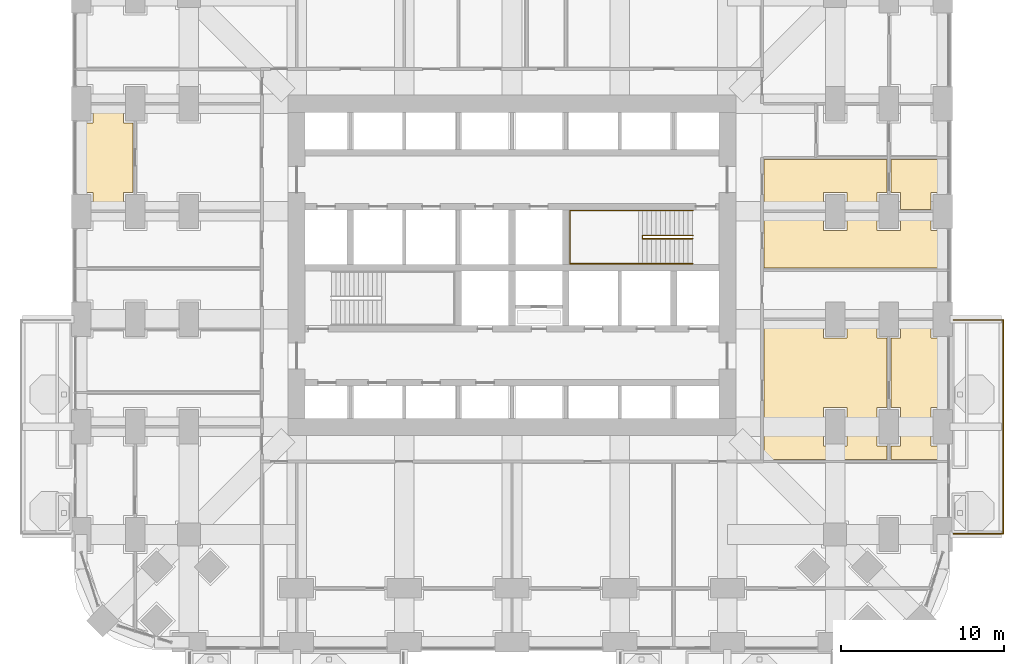
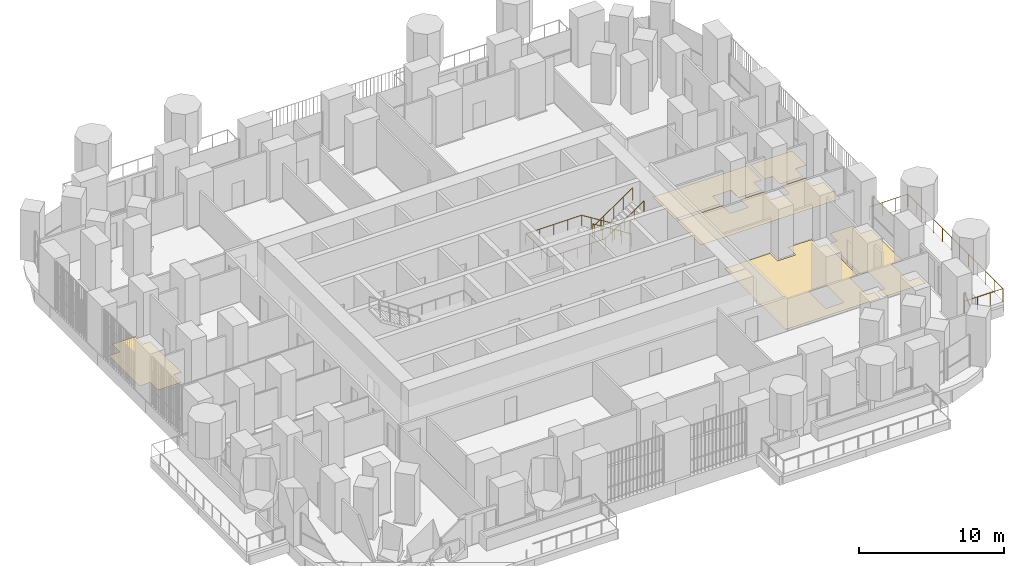
# One storey, part 25 of 27: 6 coverings, 3 railings.
"""IFC4 building model written with IfcOpenShell, lengths in metres."""

from ifc_helpers import new_model, si_unit, direction, frame, origin, place, context, subcontext, project, spatial, polyline, outline, extrude, material, layer, layer_set, type_object, element, save


model = new_model("IFC4")

# Units and contexts
model_context = context("Model", 3, precision=1e-05, world=origin(), true_north=direction((0.0, 1.0)))
body_context = subcontext(model_context, "Body", "Model", "MODEL_VIEW")
ifc_project = project(units=[si_unit("LENGTHUNIT", "METRE"), si_unit("AREAUNIT", "SQUARE_METRE"), si_unit("VOLUMEUNIT", "CUBIC_METRE"), si_unit("PLANEANGLEUNIT", "RADIAN"), si_unit("MASSUNIT", "GRAM", prefix="KILO")], contexts=[model_context])

# Site, building, storey
site_placement = place(None, origin())
site = spatial("IfcSite", under=ifc_project, at=site_placement, CompositionType="ELEMENT")
building_placement = place(site_placement, origin())
building = spatial("IfcBuilding", under=site, at=building_placement, Name="Cobogo Forest Laboratory Tower", CompositionType="ELEMENT")
storey_placement = place(building_placement, frame((0.0, 0.0, 29.699951171875)))
storey = spatial("IfcBuildingStorey", under=building, at=storey_placement, Name="L06", CompositionType="ELEMENT", Elevation=29.699951171875)

# Railing
ifc_material_1 = material(Name="Laminated glass balustrade", Category="glass")
railing_type_1 = type_object("IfcRailingType", Name="BG1 glass balustrade 1100", PredefinedType="GUARDRAIL", material=ifc_material_1)
railing_1_placement = place(storey_placement, frame((53.449951171875, 6.64990234375, 0.0)))
element("IfcRailing", 1, at=railing_1_placement, inside=storey, type_object=railing_type_1, Name="Balcony balustrade BAL-E1 L06", PredefinedType="GUARDRAIL", context=body_context, shape_type="SweptSolid", body=[
    extrude(outline(polyline([(0.022216796875, 0.00927734375), (0.00927734375, 0.022216796875), (-0.00927734375, 0.022216796875), (-0.022216796875, 0.00927734375), (-0.022216796875, -0.00927734375), (-0.00927734375, -0.022216796875), (0.00927734375, -0.022216796875), (0.022216796875, -0.00927734375), (0.022216796875, 0.00927734375)])), frame((0.0, 0.0, 1.077880859375), z_axis=(1.0, 0.0, 0.0), x_axis=(0.0, 1.0, 0.0)), (0.0, 0.0, 1.0), 3.050048828125),
    extrude(outline(polyline([(0.022216796875, 0.00927734375), (0.00927734375, 0.022216796875), (-0.00927734375, 0.022216796875), (-0.022216796875, 0.00927734375), (-0.022216796875, -0.00927734375), (-0.00927734375, -0.022216796875), (0.00927734375, -0.022216796875), (0.022216796875, -0.00927734375), (0.022216796875, 0.00927734375)])), frame((3.050048828125, 0.0, 1.077880859375), z_axis=(0.0, 1.0, 0.0), x_axis=(-1.0, 0.0, 0.0)), (0.0, 0.0, 1.0), 13.10009765625),
    extrude(outline(polyline([(0.022216796875, 0.00927734375), (0.00927734375, 0.022216796875), (-0.00927734375, 0.022216796875), (-0.022216796875, 0.00927734375), (-0.022216796875, -0.00927734375), (-0.00927734375, -0.022216796875), (0.00927734375, -0.022216796875), (0.022216796875, -0.00927734375), (0.022216796875, 0.00927734375)])), frame((3.050048828125, 13.10009765625, 1.077880859375), z_axis=(-1.0, 0.0, 0.0), x_axis=(0.0, -1.0, 0.0)), (0.0, 0.0, 1.0), 3.050048828125),
    extrude(outline(polyline([(0.019287109375, 0.008056640625), (0.008056640625, 0.019287109375), (-0.008056640625, 0.019287109375), (-0.019287109375, 0.008056640625), (-0.019287109375, -0.008056640625), (-0.008056640625, -0.019287109375), (0.008056640625, -0.019287109375), (0.019287109375, -0.008056640625), (0.019287109375, 0.008056640625)])), origin(), (0.0, 0.0, 1.0), 1.077880859375),
    extrude(outline(polyline([(0.019287109375, 0.008056640625), (0.008056640625, 0.019287109375), (-0.008056640625, 0.019287109375), (-0.019287109375, 0.008056640625), (-0.019287109375, -0.008056640625), (-0.008056640625, -0.019287109375), (0.008056640625, -0.019287109375), (0.019287109375, -0.008056640625), (0.019287109375, 0.008056640625)])), frame((1.0166015625, 0.0, 0.0)), (0.0, 0.0, 1.0), 1.077880859375),
    extrude(outline(polyline([(0.019287109375, 0.008056640625), (0.008056640625, 0.019287109375), (-0.008056640625, 0.019287109375), (-0.019287109375, 0.008056640625), (-0.019287109375, -0.008056640625), (-0.008056640625, -0.019287109375), (0.008056640625, -0.019287109375), (0.019287109375, -0.008056640625), (0.019287109375, 0.008056640625)])), frame((2.033447265625, 0.0, 0.0)), (0.0, 0.0, 1.0), 1.077880859375),
    extrude(outline(polyline([(0.019287109375, 0.008056640625), (0.008056640625, 0.019287109375), (-0.008056640625, 0.019287109375), (-0.019287109375, 0.008056640625), (-0.019287109375, -0.008056640625), (-0.008056640625, -0.019287109375), (0.008056640625, -0.019287109375), (0.019287109375, -0.008056640625), (0.019287109375, 0.008056640625)])), frame((3.050048828125, 0.0, 0.0)), (0.0, 0.0, 1.0), 1.077880859375),
    extrude(outline(polyline([(0.019287109375, 0.008056640625), (0.008056640625, 0.019287109375), (-0.008056640625, 0.019287109375), (-0.019287109375, 0.008056640625), (-0.019287109375, -0.008056640625), (-0.008056640625, -0.019287109375), (0.008056640625, -0.019287109375), (0.019287109375, -0.008056640625), (0.019287109375, 0.008056640625)])), frame((3.050048828125, 1.19091796875, 0.0)), (0.0, 0.0, 1.0), 1.077880859375),
    extrude(outline(polyline([(0.019287109375, 0.008056640625), (0.008056640625, 0.019287109375), (-0.008056640625, 0.019287109375), (-0.019287109375, 0.008056640625), (-0.019287109375, -0.008056640625), (-0.008056640625, -0.019287109375), (0.008056640625, -0.019287109375), (0.019287109375, -0.008056640625), (0.019287109375, 0.008056640625)])), frame((3.050048828125, 2.3818359375, 0.0)), (0.0, 0.0, 1.0), 1.077880859375),
    extrude(outline(polyline([(0.019287109375, 0.008056640625), (0.008056640625, 0.019287109375), (-0.008056640625, 0.019287109375), (-0.019287109375, 0.008056640625), (-0.019287109375, -0.008056640625), (-0.008056640625, -0.019287109375), (0.008056640625, -0.019287109375), (0.019287109375, -0.008056640625), (0.019287109375, 0.008056640625)])), frame((3.050048828125, 3.57275390625, 0.0)), (0.0, 0.0, 1.0), 1.077880859375),
    extrude(outline(polyline([(0.019287109375, 0.008056640625), (0.008056640625, 0.019287109375), (-0.008056640625, 0.019287109375), (-0.019287109375, 0.008056640625), (-0.019287109375, -0.008056640625), (-0.008056640625, -0.019287109375), (0.008056640625, -0.019287109375), (0.019287109375, -0.008056640625), (0.019287109375, 0.008056640625)])), frame((3.050048828125, 4.763671875, 0.0)), (0.0, 0.0, 1.0), 1.077880859375),
    extrude(outline(polyline([(0.019287109375, 0.008056640625), (0.008056640625, 0.019287109375), (-0.008056640625, 0.019287109375), (-0.019287109375, 0.008056640625), (-0.019287109375, -0.008056640625), (-0.008056640625, -0.019287109375), (0.008056640625, -0.019287109375), (0.019287109375, -0.008056640625), (0.019287109375, 0.008056640625)])), frame((3.050048828125, 5.95458984375, 0.0)), (0.0, 0.0, 1.0), 1.077880859375),
    extrude(outline(polyline([(0.019287109375, 0.008056640625), (0.008056640625, 0.019287109375), (-0.008056640625, 0.019287109375), (-0.019287109375, 0.008056640625), (-0.019287109375, -0.008056640625), (-0.008056640625, -0.019287109375), (0.008056640625, -0.019287109375), (0.019287109375, -0.008056640625), (0.019287109375, 0.008056640625)])), frame((3.050048828125, 7.1455078125, 0.0)), (0.0, 0.0, 1.0), 1.077880859375),
    extrude(outline(polyline([(0.019287109375, 0.008056640625), (0.008056640625, 0.019287109375), (-0.008056640625, 0.019287109375), (-0.019287109375, 0.008056640625), (-0.019287109375, -0.008056640625), (-0.008056640625, -0.019287109375), (0.008056640625, -0.019287109375), (0.019287109375, -0.008056640625), (0.019287109375, 0.008056640625)])), frame((3.050048828125, 8.33642578125, 0.0)), (0.0, 0.0, 1.0), 1.077880859375),
    extrude(outline(polyline([(0.019287109375, 0.008056640625), (0.008056640625, 0.019287109375), (-0.008056640625, 0.019287109375), (-0.019287109375, 0.008056640625), (-0.019287109375, -0.008056640625), (-0.008056640625, -0.019287109375), (0.008056640625, -0.019287109375), (0.019287109375, -0.008056640625), (0.019287109375, 0.008056640625)])), frame((3.050048828125, 9.52734375, 0.0)), (0.0, 0.0, 1.0), 1.077880859375),
    extrude(outline(polyline([(0.019287109375, 0.008056640625), (0.008056640625, 0.019287109375), (-0.008056640625, 0.019287109375), (-0.019287109375, 0.008056640625), (-0.019287109375, -0.008056640625), (-0.008056640625, -0.019287109375), (0.008056640625, -0.019287109375), (0.019287109375, -0.008056640625), (0.019287109375, 0.008056640625)])), frame((3.050048828125, 10.71826171875, 0.0)), (0.0, 0.0, 1.0), 1.077880859375),
    extrude(outline(polyline([(0.019287109375, 0.008056640625), (0.008056640625, 0.019287109375), (-0.008056640625, 0.019287109375), (-0.019287109375, 0.008056640625), (-0.019287109375, -0.008056640625), (-0.008056640625, -0.019287109375), (0.008056640625, -0.019287109375), (0.019287109375, -0.008056640625), (0.019287109375, 0.008056640625)])), frame((3.050048828125, 11.9091796875, 0.0)), (0.0, 0.0, 1.0), 1.077880859375),
    extrude(outline(polyline([(0.019287109375, 0.008056640625), (0.008056640625, 0.019287109375), (-0.008056640625, 0.019287109375), (-0.019287109375, 0.008056640625), (-0.019287109375, -0.008056640625), (-0.008056640625, -0.019287109375), (0.008056640625, -0.019287109375), (0.019287109375, -0.008056640625), (0.019287109375, 0.008056640625)])), frame((3.050048828125, 13.10009765625, 0.0)), (0.0, 0.0, 1.0), 1.077880859375),
    extrude(outline(polyline([(0.019287109375, 0.008056640625), (0.008056640625, 0.019287109375), (-0.008056640625, 0.019287109375), (-0.019287109375, 0.008056640625), (-0.019287109375, -0.008056640625), (-0.008056640625, -0.019287109375), (0.008056640625, -0.019287109375), (0.019287109375, -0.008056640625), (0.019287109375, 0.008056640625)])), frame((2.033447265625, 13.10009765625, 0.0)), (0.0, 0.0, 1.0), 1.077880859375),
    extrude(outline(polyline([(0.019287109375, 0.008056640625), (0.008056640625, 0.019287109375), (-0.008056640625, 0.019287109375), (-0.019287109375, 0.008056640625), (-0.019287109375, -0.008056640625), (-0.008056640625, -0.019287109375), (0.008056640625, -0.019287109375), (0.019287109375, -0.008056640625), (0.019287109375, 0.008056640625)])), frame((1.0166015625, 13.10009765625, 0.0)), (0.0, 0.0, 1.0), 1.077880859375),
    extrude(outline(polyline([(0.019287109375, 0.008056640625), (0.008056640625, 0.019287109375), (-0.008056640625, 0.019287109375), (-0.019287109375, 0.008056640625), (-0.019287109375, -0.008056640625), (-0.008056640625, -0.019287109375), (0.008056640625, -0.019287109375), (0.019287109375, -0.008056640625), (0.019287109375, 0.008056640625)])), frame((0.0, 13.10009765625, 0.0)), (0.0, 0.0, 1.0), 1.077880859375),
])

# Coverings
ifc_material_2 = material(Name="Carpet tile on raised access floor", Category="flooring")
ifc_layer_1 = layer(ifc_material_2, 0.008056640625)
ifc_layer_set_1 = layer_set([ifc_layer_1], Name="CT1 carpet tile floor 8")
covering_type_1 = type_object("IfcCoveringType", Name="CT1 carpet tile floor 8", PredefinedType="FLOORING", material=ifc_layer_set_1)
covering_1_placement = place(storey_placement, origin())
element("IfcCovering", 2, at=covering_1_placement, inside=storey, type_object=covering_type_1, Name="Carpet floor L06-09", PredefinedType="FLOORING", context=body_context, shape_type="SweptSolid", body=[
    extrude(outline(polyline([(49.6201171875, 12.030029296875), (50.219970703125, 12.030029296875), (50.219970703125, 14.3701171875), (49.6201171875, 14.3701171875), (49.6201171875, 18.6298828125), (50.219970703125, 18.6298828125), (50.219970703125, 19.679931640625), (52.080078125, 19.679931640625), (52.080078125, 18.6298828125), (52.949951171875, 18.6298828125), (52.949951171875, 14.3701171875), (52.080078125, 14.3701171875), (52.080078125, 12.030029296875), (52.949951171875, 12.030029296875), (52.949951171875, 11.195068359375), (49.6201171875, 11.195068359375), (49.6201171875, 12.030029296875)])), origin(), (0.0, 0.0, 1.0), 0.008056640625),
])
covering_2_placement = place(storey_placement, origin())
element("IfcCovering", 3, at=covering_2_placement, inside=storey, type_object=covering_type_1, Name="Carpet floor L06-13", PredefinedType="FLOORING", context=body_context, shape_type="SweptSolid", body=[
    extrude(outline(polyline([(49.6201171875, 29.580078125), (52.949951171875, 29.580078125), (52.949951171875, 27.570068359375), (52.080078125, 27.570068359375), (52.080078125, 26.52001953125), (50.219970703125, 26.52001953125), (50.219970703125, 27.570068359375), (49.6201171875, 27.570068359375), (49.6201171875, 29.580078125)])), origin(), (0.0, 0.0, 1.0), 0.008056640625),
])
covering_3_placement = place(storey_placement, origin())
element("IfcCovering", 4, at=covering_3_placement, inside=storey, type_object=covering_type_1, Name="Carpet floor L06-35", PredefinedType="FLOORING", context=body_context, shape_type="SweptSolid", body=[
    extrude(outline(polyline([(3.179931640625, 27.570068359375), (2.580078125, 27.570068359375), (2.580078125, 26.52001953125), (0.719970703125, 26.52001953125), (0.719970703125, 27.570068359375), (-0.14990234375, 27.570068359375), (-0.14990234375, 31.830078125), (0.719970703125, 31.830078125), (0.719970703125, 32.8798828125), (2.580078125, 32.8798828125), (2.580078125, 31.830078125), (3.179931640625, 31.830078125), (3.179931640625, 27.570068359375)])), origin(), (0.0, 0.0, 1.0), 0.008056640625),
])

# Railings
ifc_material_3 = material(Name="Steel balustrade", Category="steel")
railing_type_2 = type_object("IfcRailingType", Name="GR stair guard 1100", PredefinedType="GUARDRAIL", material=ifc_material_3)
railing_2_placement = place(storey_placement, frame((37.47509765625, 24.929931640625, 0.175048828125)))
element("IfcRailing", 5, at=railing_2_placement, inside=storey, type_object=railing_type_2, Name="Stair guard ST2 L06", PredefinedType="GUARDRAIL", context=body_context, shape_type="SweptSolid", body=[
    extrude(outline(polyline([(0.022216796875, 0.00927734375), (0.00927734375, 0.022216796875), (-0.00927734375, 0.022216796875), (-0.022216796875, 0.00927734375), (-0.022216796875, -0.00927734375), (-0.00927734375, -0.022216796875), (0.00927734375, -0.022216796875), (0.022216796875, -0.00927734375), (0.022216796875, 0.00927734375)])), frame((0.0, 0.0, 1.077880859375), z_axis=(-0.847998304005, 0.0, 0.529998940003), x_axis=(0.0, -1.0, 0.0)), (0.0, 0.0, 1.0), 3.632080078125),
    extrude(outline(polyline([(0.022216796875, 0.00927734375), (0.00927734375, 0.022216796875), (-0.00927734375, 0.022216796875), (-0.022216796875, 0.00927734375), (-0.022216796875, -0.00927734375), (-0.00927734375, -0.022216796875), (0.00927734375, -0.022216796875), (0.022216796875, -0.00927734375), (0.022216796875, 0.00927734375)])), frame((-3.080078125, 0.0, 3.0029296875), z_axis=(0.0, -1.0, 0.0), x_axis=(1.0, 0.0, 0.0)), (0.0, 0.0, 1.0), 0.2099609375),
    extrude(outline(polyline([(0.022216796875, 0.00927734375), (0.00927734375, 0.022216796875), (-0.00927734375, 0.022216796875), (-0.022216796875, 0.00927734375), (-0.022216796875, -0.00927734375), (-0.00927734375, -0.022216796875), (0.00927734375, -0.022216796875), (0.022216796875, -0.00927734375), (0.022216796875, 0.00927734375)])), frame((-3.080078125, -0.2099609375, 3.0029296875), z_axis=(0.826252282691, 0.0, 0.563300244406), x_axis=(0.0, 1.0, 0.0)), (0.0, 0.0, 1.0), 3.727783203125),
    extrude(outline(polyline([(0.019287109375, 0.008056640625), (0.008056640625, 0.019287109375), (-0.008056640625, 0.019287109375), (-0.019287109375, 0.008056640625), (-0.019287109375, -0.008056640625), (-0.008056640625, -0.019287109375), (0.008056640625, -0.019287109375), (0.019287109375, -0.008056640625), (0.019287109375, 0.008056640625)])), origin(), (0.0, 0.0, 1.0), 1.077880859375),
    extrude(outline(polyline([(0.019287109375, 0.008056640625), (0.008056640625, 0.019287109375), (-0.008056640625, 0.019287109375), (-0.019287109375, 0.008056640625), (-0.019287109375, -0.008056640625), (-0.008056640625, -0.019287109375), (0.008056640625, -0.019287109375), (0.019287109375, -0.008056640625), (0.019287109375, 0.008056640625)])), frame((-0.77001953125, 0.0, 0.481201171875)), (0.0, 0.0, 1.0), 1.077880859375),
    extrude(outline(polyline([(0.019287109375, 0.008056640625), (0.008056640625, 0.019287109375), (-0.008056640625, 0.019287109375), (-0.019287109375, 0.008056640625), (-0.019287109375, -0.008056640625), (-0.008056640625, -0.019287109375), (0.008056640625, -0.019287109375), (0.019287109375, -0.008056640625), (0.019287109375, 0.008056640625)])), frame((-1.5400390625, 0.0, 0.96240234375)), (0.0, 0.0, 1.0), 1.077880859375),
    extrude(outline(polyline([(0.019287109375, 0.008056640625), (0.008056640625, 0.019287109375), (-0.008056640625, 0.019287109375), (-0.019287109375, 0.008056640625), (-0.019287109375, -0.008056640625), (-0.008056640625, -0.019287109375), (0.008056640625, -0.019287109375), (0.019287109375, -0.008056640625), (0.019287109375, 0.008056640625)])), frame((-2.31005859375, 0.0, 1.44384765625)), (0.0, 0.0, 1.0), 1.077880859375),
    extrude(outline(polyline([(0.019287109375, 0.008056640625), (0.008056640625, 0.019287109375), (-0.008056640625, 0.019287109375), (-0.019287109375, 0.008056640625), (-0.019287109375, -0.008056640625), (-0.008056640625, -0.019287109375), (0.008056640625, -0.019287109375), (0.019287109375, -0.008056640625), (0.019287109375, 0.008056640625)])), frame((-3.080078125, 0.0, 1.925048828125)), (0.0, 0.0, 1.0), 1.077880859375),
    extrude(outline(polyline([(0.019287109375, 0.008056640625), (0.008056640625, 0.019287109375), (-0.008056640625, 0.019287109375), (-0.019287109375, 0.008056640625), (-0.019287109375, -0.008056640625), (-0.008056640625, -0.019287109375), (0.008056640625, -0.019287109375), (0.019287109375, -0.008056640625), (0.019287109375, 0.008056640625)])), frame((-3.080078125, -0.2099609375, 1.925048828125)), (0.0, 0.0, 1.0), 1.077880859375),
    extrude(outline(polyline([(0.019287109375, 0.008056640625), (0.008056640625, 0.019287109375), (-0.008056640625, 0.019287109375), (-0.019287109375, 0.008056640625), (-0.019287109375, -0.008056640625), (-0.008056640625, -0.019287109375), (0.008056640625, -0.019287109375), (0.019287109375, -0.008056640625), (0.019287109375, 0.008056640625)])), frame((-2.31005859375, -0.2099609375, 2.449951171875)), (0.0, 0.0, 1.0), 1.077880859375),
    extrude(outline(polyline([(0.019287109375, 0.008056640625), (0.008056640625, 0.019287109375), (-0.008056640625, 0.019287109375), (-0.019287109375, 0.008056640625), (-0.019287109375, -0.008056640625), (-0.008056640625, -0.019287109375), (0.008056640625, -0.019287109375), (0.019287109375, -0.008056640625), (0.019287109375, 0.008056640625)])), frame((-1.5400390625, -0.2099609375, 2.97509765625)), (0.0, 0.0, 1.0), 1.077880859375),
    extrude(outline(polyline([(0.019287109375, 0.008056640625), (0.008056640625, 0.019287109375), (-0.008056640625, 0.019287109375), (-0.019287109375, 0.008056640625), (-0.019287109375, -0.008056640625), (-0.008056640625, -0.019287109375), (0.008056640625, -0.019287109375), (0.019287109375, -0.008056640625), (0.019287109375, 0.008056640625)])), frame((-0.77001953125, -0.2099609375, 3.5)), (0.0, 0.0, 1.0), 1.077880859375),
    extrude(outline(polyline([(0.019287109375, 0.008056640625), (0.008056640625, 0.019287109375), (-0.008056640625, 0.019287109375), (-0.019287109375, 0.008056640625), (-0.019287109375, -0.008056640625), (-0.008056640625, -0.019287109375), (0.008056640625, -0.019287109375), (0.019287109375, -0.008056640625), (0.019287109375, 0.008056640625)])), frame((0.0, -0.2099609375, 4.02490234375)), (0.0, 0.0, 1.0), 1.077880859375),
])
ifc_material_4 = material(Name="Stainless steel handrail", Category="steel")
railing_type_3 = type_object("IfcRailingType", Name="HR handrail 900", PredefinedType="HANDRAIL", material=ifc_material_4)
railing_3_placement = place(storey_placement, frame((37.47509765625, 26.449951171875, 0.175048828125)))
element("IfcRailing", 6, at=railing_3_placement, inside=storey, type_object=railing_type_3, Name="Stair handrail ST2 L06", PredefinedType="HANDRAIL", context=body_context, shape_type="SweptSolid", body=[
    extrude(outline(polyline([(0.022216796875, 0.00927734375), (0.00927734375, 0.022216796875), (-0.00927734375, 0.022216796875), (-0.022216796875, 0.00927734375), (-0.022216796875, -0.00927734375), (-0.00927734375, -0.022216796875), (0.00927734375, -0.022216796875), (0.022216796875, -0.00927734375), (0.022216796875, 0.00927734375)])), frame((0.0, 0.0, 0.877685546875), z_axis=(-0.847998304005, 0.0, 0.529998940003), x_axis=(0.0, -1.0, 0.0)), (0.0, 0.0, 1.0), 3.632080078125),
    extrude(outline(polyline([(0.022216796875, 0.00927734375), (0.00927734375, 0.022216796875), (-0.00927734375, 0.022216796875), (-0.022216796875, 0.00927734375), (-0.022216796875, -0.00927734375), (-0.00927734375, -0.022216796875), (0.00927734375, -0.022216796875), (0.022216796875, -0.00927734375), (0.022216796875, 0.00927734375)])), frame((-3.080078125, 0.0, 2.802734375), z_axis=(-1.0, 0.0, 0.0), x_axis=(0.0, -1.0, 0.0)), (0.0, 0.0, 1.0), 4.445068359375),
    extrude(outline(polyline([(0.022216796875, 0.00927734375), (0.00927734375, 0.022216796875), (-0.00927734375, 0.022216796875), (-0.022216796875, 0.00927734375), (-0.022216796875, -0.00927734375), (-0.00927734375, -0.022216796875), (0.00927734375, -0.022216796875), (0.022216796875, -0.00927734375), (0.022216796875, 0.00927734375)])), frame((-7.525146484375, 0.0, 2.802734375), z_axis=(0.0, -1.0, 0.0), x_axis=(1.0, 0.0, 0.0)), (0.0, 0.0, 1.0), 3.25),
    extrude(outline(polyline([(0.022216796875, 0.00927734375), (0.00927734375, 0.022216796875), (-0.00927734375, 0.022216796875), (-0.022216796875, 0.00927734375), (-0.022216796875, -0.00927734375), (-0.00927734375, -0.022216796875), (0.00927734375, -0.022216796875), (0.022216796875, -0.00927734375), (0.022216796875, 0.00927734375)])), frame((-7.525146484375, -3.25, 2.802734375), z_axis=(1.0, 0.0, 0.0), x_axis=(0.0, 1.0, 0.0)), (0.0, 0.0, 1.0), 4.445068359375),
    extrude(outline(polyline([(0.022216796875, 0.00927734375), (0.00927734375, 0.022216796875), (-0.00927734375, 0.022216796875), (-0.022216796875, 0.00927734375), (-0.022216796875, -0.00927734375), (-0.00927734375, -0.022216796875), (0.00927734375, -0.022216796875), (0.022216796875, -0.00927734375), (0.022216796875, 0.00927734375)])), frame((-3.080078125, -3.25, 2.802734375), z_axis=(0.826252282691, 0.0, 0.563300244406), x_axis=(0.0, 1.0, 0.0)), (0.0, 0.0, 1.0), 3.727783203125),
    extrude(outline(polyline([(0.019287109375, 0.008056640625), (0.008056640625, 0.019287109375), (-0.008056640625, 0.019287109375), (-0.019287109375, 0.008056640625), (-0.019287109375, -0.008056640625), (-0.008056640625, -0.019287109375), (0.008056640625, -0.019287109375), (0.019287109375, -0.008056640625), (0.019287109375, 0.008056640625)])), origin(), (0.0, 0.0, 1.0), 0.877685546875),
    extrude(outline(polyline([(0.019287109375, 0.008056640625), (0.008056640625, 0.019287109375), (-0.008056640625, 0.019287109375), (-0.019287109375, 0.008056640625), (-0.019287109375, -0.008056640625), (-0.008056640625, -0.019287109375), (0.008056640625, -0.019287109375), (0.019287109375, -0.008056640625), (0.019287109375, 0.008056640625)])), frame((-0.77001953125, 0.0, 0.481201171875)), (0.0, 0.0, 1.0), 0.877685546875),
    extrude(outline(polyline([(0.019287109375, 0.008056640625), (0.008056640625, 0.019287109375), (-0.008056640625, 0.019287109375), (-0.019287109375, 0.008056640625), (-0.019287109375, -0.008056640625), (-0.008056640625, -0.019287109375), (0.008056640625, -0.019287109375), (0.019287109375, -0.008056640625), (0.019287109375, 0.008056640625)])), frame((-1.5400390625, 0.0, 0.96240234375)), (0.0, 0.0, 1.0), 0.877685546875),
    extrude(outline(polyline([(0.019287109375, 0.008056640625), (0.008056640625, 0.019287109375), (-0.008056640625, 0.019287109375), (-0.019287109375, 0.008056640625), (-0.019287109375, -0.008056640625), (-0.008056640625, -0.019287109375), (0.008056640625, -0.019287109375), (0.019287109375, -0.008056640625), (0.019287109375, 0.008056640625)])), frame((-2.31005859375, 0.0, 1.44384765625)), (0.0, 0.0, 1.0), 0.877685546875),
    extrude(outline(polyline([(0.019287109375, 0.008056640625), (0.008056640625, 0.019287109375), (-0.008056640625, 0.019287109375), (-0.019287109375, 0.008056640625), (-0.019287109375, -0.008056640625), (-0.008056640625, -0.019287109375), (0.008056640625, -0.019287109375), (0.019287109375, -0.008056640625), (0.019287109375, 0.008056640625)])), frame((-3.080078125, 0.0, 1.925048828125)), (0.0, 0.0, 1.0), 0.877685546875),
    extrude(outline(polyline([(0.019287109375, 0.008056640625), (0.008056640625, 0.019287109375), (-0.008056640625, 0.019287109375), (-0.019287109375, 0.008056640625), (-0.019287109375, -0.008056640625), (-0.008056640625, -0.019287109375), (0.008056640625, -0.019287109375), (0.019287109375, -0.008056640625), (0.019287109375, 0.008056640625)])), frame((-4.19140625, 0.0, 1.925048828125)), (0.0, 0.0, 1.0), 0.877685546875),
    extrude(outline(polyline([(0.019287109375, 0.008056640625), (0.008056640625, 0.019287109375), (-0.008056640625, 0.019287109375), (-0.019287109375, 0.008056640625), (-0.019287109375, -0.008056640625), (-0.008056640625, -0.019287109375), (0.008056640625, -0.019287109375), (0.019287109375, -0.008056640625), (0.019287109375, 0.008056640625)])), frame((-5.302734375, 0.0, 1.925048828125)), (0.0, 0.0, 1.0), 0.877685546875),
    extrude(outline(polyline([(0.019287109375, 0.008056640625), (0.008056640625, 0.019287109375), (-0.008056640625, 0.019287109375), (-0.019287109375, 0.008056640625), (-0.019287109375, -0.008056640625), (-0.008056640625, -0.019287109375), (0.008056640625, -0.019287109375), (0.019287109375, -0.008056640625), (0.019287109375, 0.008056640625)])), frame((-6.413818359375, 0.0, 1.925048828125)), (0.0, 0.0, 1.0), 0.877685546875),
    extrude(outline(polyline([(0.019287109375, 0.008056640625), (0.008056640625, 0.019287109375), (-0.008056640625, 0.019287109375), (-0.019287109375, 0.008056640625), (-0.019287109375, -0.008056640625), (-0.008056640625, -0.019287109375), (0.008056640625, -0.019287109375), (0.019287109375, -0.008056640625), (0.019287109375, 0.008056640625)])), frame((-7.525146484375, 0.0, 1.925048828125)), (0.0, 0.0, 1.0), 0.877685546875),
    extrude(outline(polyline([(0.019287109375, 0.008056640625), (0.008056640625, 0.019287109375), (-0.008056640625, 0.019287109375), (-0.019287109375, 0.008056640625), (-0.019287109375, -0.008056640625), (-0.008056640625, -0.019287109375), (0.008056640625, -0.019287109375), (0.019287109375, -0.008056640625), (0.019287109375, 0.008056640625)])), frame((-7.525146484375, -1.083251953125, 1.925048828125)), (0.0, 0.0, 1.0), 0.877685546875),
    extrude(outline(polyline([(0.019287109375, 0.008056640625), (0.008056640625, 0.019287109375), (-0.008056640625, 0.019287109375), (-0.019287109375, 0.008056640625), (-0.019287109375, -0.008056640625), (-0.008056640625, -0.019287109375), (0.008056640625, -0.019287109375), (0.019287109375, -0.008056640625), (0.019287109375, 0.008056640625)])), frame((-7.525146484375, -2.166748046875, 1.925048828125)), (0.0, 0.0, 1.0), 0.877685546875),
    extrude(outline(polyline([(0.019287109375, 0.008056640625), (0.008056640625, 0.019287109375), (-0.008056640625, 0.019287109375), (-0.019287109375, 0.008056640625), (-0.019287109375, -0.008056640625), (-0.008056640625, -0.019287109375), (0.008056640625, -0.019287109375), (0.019287109375, -0.008056640625), (0.019287109375, 0.008056640625)])), frame((-7.525146484375, -3.25, 1.925048828125)), (0.0, 0.0, 1.0), 0.877685546875),
    extrude(outline(polyline([(0.019287109375, 0.008056640625), (0.008056640625, 0.019287109375), (-0.008056640625, 0.019287109375), (-0.019287109375, 0.008056640625), (-0.019287109375, -0.008056640625), (-0.008056640625, -0.019287109375), (0.008056640625, -0.019287109375), (0.019287109375, -0.008056640625), (0.019287109375, 0.008056640625)])), frame((-6.413818359375, -3.25, 1.925048828125)), (0.0, 0.0, 1.0), 0.877685546875),
    extrude(outline(polyline([(0.019287109375, 0.008056640625), (0.008056640625, 0.019287109375), (-0.008056640625, 0.019287109375), (-0.019287109375, 0.008056640625), (-0.019287109375, -0.008056640625), (-0.008056640625, -0.019287109375), (0.008056640625, -0.019287109375), (0.019287109375, -0.008056640625), (0.019287109375, 0.008056640625)])), frame((-5.302734375, -3.25, 1.925048828125)), (0.0, 0.0, 1.0), 0.877685546875),
    extrude(outline(polyline([(0.019287109375, 0.008056640625), (0.008056640625, 0.019287109375), (-0.008056640625, 0.019287109375), (-0.019287109375, 0.008056640625), (-0.019287109375, -0.008056640625), (-0.008056640625, -0.019287109375), (0.008056640625, -0.019287109375), (0.019287109375, -0.008056640625), (0.019287109375, 0.008056640625)])), frame((-4.19140625, -3.25, 1.925048828125)), (0.0, 0.0, 1.0), 0.877685546875),
    extrude(outline(polyline([(0.019287109375, 0.008056640625), (0.008056640625, 0.019287109375), (-0.008056640625, 0.019287109375), (-0.019287109375, 0.008056640625), (-0.019287109375, -0.008056640625), (-0.008056640625, -0.019287109375), (0.008056640625, -0.019287109375), (0.019287109375, -0.008056640625), (0.019287109375, 0.008056640625)])), frame((-3.080078125, -3.25, 1.925048828125)), (0.0, 0.0, 1.0), 0.877685546875),
    extrude(outline(polyline([(0.019287109375, 0.008056640625), (0.008056640625, 0.019287109375), (-0.008056640625, 0.019287109375), (-0.019287109375, 0.008056640625), (-0.019287109375, -0.008056640625), (-0.008056640625, -0.019287109375), (0.008056640625, -0.019287109375), (0.019287109375, -0.008056640625), (0.019287109375, 0.008056640625)])), frame((-2.31005859375, -3.25, 2.449951171875)), (0.0, 0.0, 1.0), 0.877685546875),
    extrude(outline(polyline([(0.019287109375, 0.008056640625), (0.008056640625, 0.019287109375), (-0.008056640625, 0.019287109375), (-0.019287109375, 0.008056640625), (-0.019287109375, -0.008056640625), (-0.008056640625, -0.019287109375), (0.008056640625, -0.019287109375), (0.019287109375, -0.008056640625), (0.019287109375, 0.008056640625)])), frame((-1.5400390625, -3.25, 2.97509765625)), (0.0, 0.0, 1.0), 0.877685546875),
    extrude(outline(polyline([(0.019287109375, 0.008056640625), (0.008056640625, 0.019287109375), (-0.008056640625, 0.019287109375), (-0.019287109375, 0.008056640625), (-0.019287109375, -0.008056640625), (-0.008056640625, -0.019287109375), (0.008056640625, -0.019287109375), (0.019287109375, -0.008056640625), (0.019287109375, 0.008056640625)])), frame((-0.77001953125, -3.25, 3.5)), (0.0, 0.0, 1.0), 0.877685546875),
    extrude(outline(polyline([(0.019287109375, 0.008056640625), (0.008056640625, 0.019287109375), (-0.008056640625, 0.019287109375), (-0.019287109375, 0.008056640625), (-0.019287109375, -0.008056640625), (-0.008056640625, -0.019287109375), (0.008056640625, -0.019287109375), (0.019287109375, -0.008056640625), (0.019287109375, 0.008056640625)])), frame((0.0, -3.25, 4.02490234375)), (0.0, 0.0, 1.0), 0.877685546875),
])

# Coverings
ifc_material_5 = material(Name="Epoxy resin flooring", Category="flooring")
ifc_layer_2 = layer(ifc_material_5, 0.00390625)
ifc_layer_set_2 = layer_set([ifc_layer_2], Name="LF1 epoxy laboratory floor 4")
covering_type_2 = type_object("IfcCoveringType", Name="LF1 epoxy laboratory floor 4", PredefinedType="FLOORING", material=ifc_layer_set_2)
covering_4_placement = place(storey_placement, origin())
element("IfcCovering", 7, at=covering_4_placement, inside=storey, type_object=covering_type_2, Name="Epoxy laboratory floor L06-08", PredefinedType="FLOORING", context=body_context, shape_type="SweptSolid", body=[
    extrude(outline(polyline([(41.844970703125, 19.679931640625), (45.47998046875, 19.679931640625), (45.47998046875, 18.6298828125), (46.919921875, 18.6298828125), (46.919921875, 19.679931640625), (48.780029296875, 19.679931640625), (48.780029296875, 18.6298828125), (49.3798828125, 18.6298828125), (49.3798828125, 14.3701171875), (48.780029296875, 14.3701171875), (48.780029296875, 12.030029296875), (49.3798828125, 12.030029296875), (49.3798828125, 11.195068359375), (41.844970703125, 11.195068359375), (41.844970703125, 19.679931640625)]), holes=[polyline([(45.47998046875, 12.030029296875), (46.919921875, 12.030029296875), (46.919921875, 14.3701171875), (45.47998046875, 14.3701171875), (45.47998046875, 12.030029296875)])]), origin(), (0.0, 0.0, 1.0), 0.004150390625),
])
covering_5_placement = place(storey_placement, origin())
element("IfcCovering", 8, at=covering_5_placement, inside=storey, type_object=covering_type_2, Name="Epoxy laboratory floor L06-12", PredefinedType="FLOORING", context=body_context, shape_type="SweptSolid", body=[
    extrude(outline(polyline([(41.844970703125, 29.580078125), (49.3798828125, 29.580078125), (49.3798828125, 27.570068359375), (48.780029296875, 27.570068359375), (48.780029296875, 26.52001953125), (46.919921875, 26.52001953125), (46.919921875, 27.570068359375), (45.47998046875, 27.570068359375), (45.47998046875, 26.52001953125), (41.844970703125, 26.52001953125), (41.844970703125, 29.580078125)])), origin(), (0.0, 0.0, 1.0), 0.004150390625),
])
ifc_material_6 = material(Name="Static-dissipative vinyl flooring", Category="flooring")
ifc_layer_3 = layer(ifc_material_6, 0.0029296875)
ifc_layer_set_3 = layer_set([ifc_layer_3], Name="SD1 static-dissipative vinyl floor 3")
covering_type_3 = type_object("IfcCoveringType", Name="SD1 static-dissipative vinyl floor 3", PredefinedType="FLOORING", material=ifc_layer_set_3)
covering_6_placement = place(storey_placement, origin())
element("IfcCovering", 9, at=covering_6_placement, inside=storey, type_object=covering_type_3, Name="Static-dissipative floor L06-11", PredefinedType="FLOORING", context=body_context, shape_type="SweptSolid", body=[
    extrude(outline(polyline([(41.844970703125, 26.280029296875), (45.47998046875, 26.280029296875), (45.47998046875, 25.22998046875), (46.919921875, 25.22998046875), (46.919921875, 26.280029296875), (48.780029296875, 26.280029296875), (48.780029296875, 25.22998046875), (50.219970703125, 25.22998046875), (50.219970703125, 26.280029296875), (52.080078125, 26.280029296875), (52.080078125, 25.22998046875), (52.949951171875, 25.22998046875), (52.949951171875, 22.919921875), (41.844970703125, 22.919921875), (41.844970703125, 26.280029296875)])), origin(), (0.0, 0.0, 1.0), 0.0029296875),
])

save(model, "model.ifc")
